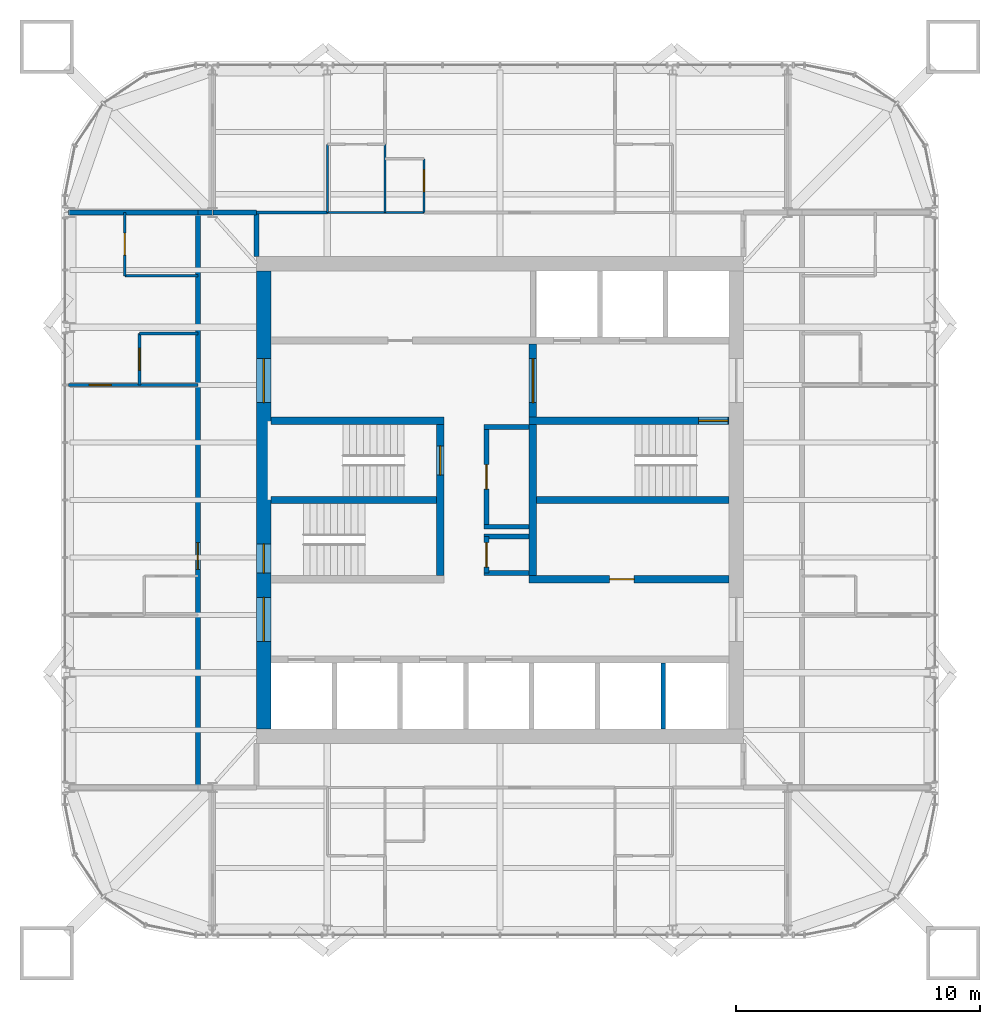
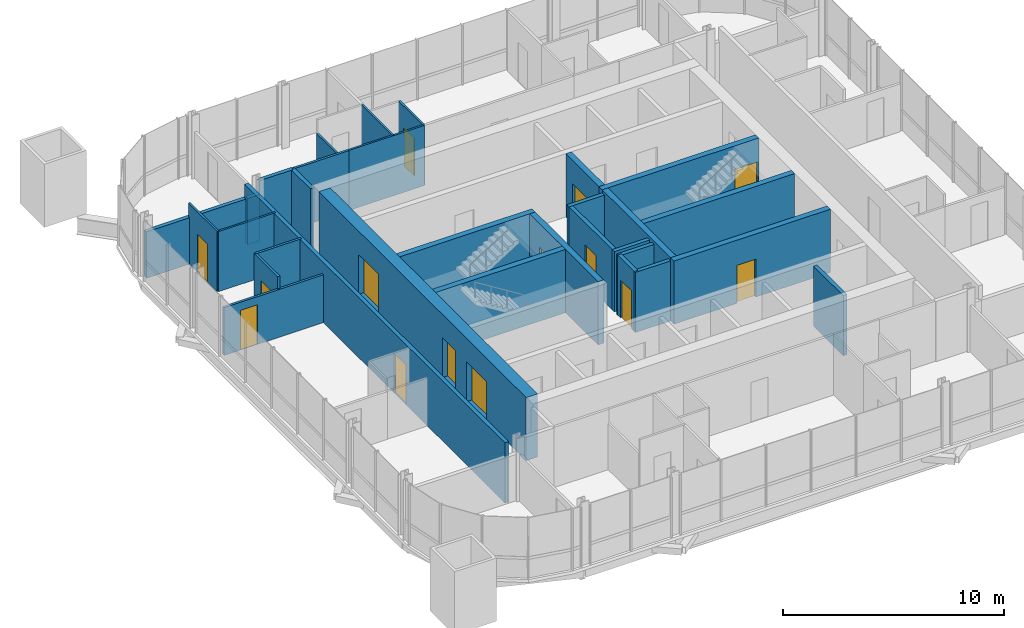
# One storey, part 14 of 17: 30 walls, 14 doors, 14 openings.
"""IFC4 building model written with IfcOpenShell, lengths in metres."""

from ifc_helpers import new_model, si_unit, direction, frame, frame_2d, origin, place, context, subcontext, project, spatial, rectangle, extrude, material, layer, layer_set, type_object, element, fill, save


model = new_model("IFC4")

# Units and contexts
model_context = context("Model", 3, precision=1e-05, world=origin(), true_north=direction((0.0, 1.0)))
body_context = subcontext(model_context, "Body", "Model", "MODEL_VIEW")
ifc_project = project(units=[si_unit("LENGTHUNIT", "METRE"), si_unit("AREAUNIT", "SQUARE_METRE"), si_unit("VOLUMEUNIT", "CUBIC_METRE"), si_unit("PLANEANGLEUNIT", "RADIAN"), si_unit("MASSUNIT", "GRAM", prefix="KILO")], contexts=[model_context])

# Site, building, storey
site_placement = place(None, origin())
site = spatial("IfcSite", under=ifc_project, at=site_placement, CompositionType="ELEMENT")
building_placement = place(site_placement, origin())
building = spatial("IfcBuilding", under=site, at=building_placement, Name="Turquesa Mirador Hotel Tower", CompositionType="ELEMENT")
storey_placement = place(building_placement, frame((0.0, 0.0, 258.199951171875)))
storey = spatial("IfcBuildingStorey", under=building, at=storey_placement, Name="L70", CompositionType="ELEMENT", Elevation=258.199951171875)

# Walls
ifc_material_1 = material(Name="Gypsum board on steel studs", Category="steel")
ifc_layer_1 = layer(ifc_material_1, 0.10009765625)
ifc_layer_set_1 = layer_set([ifc_layer_1], Name="BATHROOM WALL 100")
wall_type_1 = type_object("IfcWallType", Name="BATHROOM WALL 100", PredefinedType="PARTITIONING", material=ifc_layer_set_1)
wall_1_placement = place(storey_placement, frame((47.919921875, 56.800048828125, 0.0), z_axis=(0.0, 0.0, 1.0), x_axis=(1.0, 0.0, 0.0)))
element("IfcWall", 1, at=wall_1_placement, inside=storey, type_object=wall_type_1, Name="Partition L70 019", PredefinedType="PARTITIONING", context=body_context, shape_type="SweptSolid", body=[
    extrude(rectangle(XDim=3.9599609375, YDim=0.10009765625, at=frame_2d((1.97998046875, 0.0))), origin(), (0.0, 0.0, 1.0), 3.330078125),
])
wall_2_placement = place(storey_placement, frame((39.60009765625, 54.199951171875, 0.0), z_axis=(0.0, 0.0, 1.0), x_axis=(1.0, 0.0, 0.0)))
element("IfcWall", 2, at=wall_2_placement, inside=storey, type_object=wall_type_1, Name="Partition L70 035", PredefinedType="PARTITIONING", context=body_context, shape_type="SweptSolid", body=[
    extrude(rectangle(XDim=3.0, YDim=0.10009765625, at=frame_2d((1.5, 0.0))), origin(), (0.0, 0.0, 1.0), 3.330078125),
])

# Wall, opening, door
wall_3_placement = place(storey_placement, frame((39.60009765625, 54.199951171875, 0.0), z_axis=(0.0, 0.0, 1.0), x_axis=(0.0, 1.0, 0.0)))
wall_3 = element("IfcWall", 3, at=wall_3_placement, inside=storey, type_object=wall_type_1, Name="Partition L70 044", PredefinedType="PARTITIONING", context=body_context, shape_type="SweptSolid", body=[
    extrude(rectangle(XDim=2.60009765625, YDim=0.10009765625, at=frame_2d((1.300048828125, 0.0))), origin(), (0.0, 0.0, 1.0), 3.330078125),
])
opening_1_placement = place(wall_3_placement, frame((0.85009765625, 0.0, 0.0)))
opening_1 = element("IfcOpeningElement", 4, at=opening_1_placement, cuts=wall_3, Name="Opening D02", PredefinedType="OPENING", context=body_context, shape_type="SweptSolid", body=[
    extrude(rectangle(XDim=0.89990234375, YDim=2.10009765625, at=frame_2d((0.449951171875, 1.050048828125))), frame((0.0, 0.06005859375, 0.0), z_axis=(0.0, -1.0, 0.0), x_axis=(1.0, 0.0, 0.0)), (0.0, 0.0, 1.0), 0.1201171875),
])
ifc_material_2 = material(Name="Timber veneered door", Category="wood")
door_type_1 = type_object("IfcDoorType", Name="DOOR 900X2100 EN-SUITE", OperationType="SINGLE_SWING_RIGHT", PredefinedType="DOOR", material=ifc_material_2)
door_1_placement = place(opening_1_placement, origin())
door_1 = element("IfcDoor", 5, at=door_1_placement, inside=storey, type_object=door_type_1, Name="Door 7004B", OperationType="SINGLE_SWING_RIGHT", OverallHeight=2.10009765625, OverallWidth=0.89990234375, PredefinedType="DOOR", context=body_context, shape_type="SweptSolid", body=[
    extrude(rectangle(XDim=0.89990234375, YDim=2.10009765625, at=frame_2d((0.449951171875, 1.050048828125))), frame((0.0, 0.02490234375, 0.0), z_axis=(0.0, -1.0, 0.0), x_axis=(1.0, 0.0, 0.0)), (0.0, 0.0, 1.0), 0.050048828125),
])
fill(opening_1, door_1)

wall_4_placement = place(storey_placement, frame((51.8798828125, 56.800048828125, 0.0), z_axis=(0.0, 0.0, 1.0), x_axis=(0.0, 1.0, 0.0)))
wall_4 = element("IfcWall", 6, at=wall_4_placement, inside=storey, type_object=wall_type_1, Name="Partition L70 046", PredefinedType="PARTITIONING", context=body_context, shape_type="SweptSolid", body=[
    extrude(rectangle(XDim=2.199951171875, YDim=0.10009765625, at=frame_2d((1.10009765625, 0.0))), origin(), (0.0, 0.0, 1.0), 3.330078125),
])
opening_2_placement = place(wall_4_placement, frame((0.85009765625, 0.0, 0.0)))
opening_2 = element("IfcOpeningElement", 7, at=opening_2_placement, cuts=wall_4, Name="Opening D06", PredefinedType="OPENING", context=body_context, shape_type="SweptSolid", body=[
    extrude(rectangle(XDim=0.89990234375, YDim=2.10009765625, at=frame_2d((0.449951171875, 1.050048828125))), frame((0.0, 0.06005859375, 0.0), z_axis=(0.0, -1.0, 0.0), x_axis=(1.0, 0.0, 0.0)), (0.0, 0.0, 1.0), 0.1201171875),
])
ifc_material_3 = material(Name="Laminate door", Category="wood")
door_type_2 = type_object("IfcDoorType", Name="DOOR 900X2100 WC", OperationType="SINGLE_SWING_LEFT", PredefinedType="DOOR", material=ifc_material_3)
door_2_placement = place(opening_2_placement, origin())
door_2 = element("IfcDoor", 8, at=door_2_placement, inside=storey, type_object=door_type_2, Name="Door 7001W", OperationType="SINGLE_SWING_LEFT", OverallHeight=2.10009765625, OverallWidth=0.89990234375, PredefinedType="DOOR", context=body_context, shape_type="SweptSolid", body=[
    extrude(rectangle(XDim=0.89990234375, YDim=2.10009765625, at=frame_2d((0.449951171875, 1.050048828125))), frame((0.0, 0.02490234375, 0.0), z_axis=(0.0, -1.0, 0.0), x_axis=(1.0, 0.0, 0.0)), (0.0, 0.0, 1.0), 0.050048828125),
])
fill(opening_2, door_2)

# Walls
wall_5_placement = place(storey_placement, frame((50.280029296875, 56.800048828125, 0.0), z_axis=(0.0, 0.0, 1.0), x_axis=(0.0, 1.0, 0.0)))
element("IfcWall", 9, at=wall_5_placement, inside=storey, type_object=wall_type_1, Name="Partition L70 048", PredefinedType="PARTITIONING", context=body_context, shape_type="SweptSolid", body=[
    extrude(rectangle(XDim=2.800048828125, YDim=0.10009765625, at=frame_2d((1.39990234375, 0.0))), origin(), (0.0, 0.0, 1.0), 3.330078125),
])
wall_6_placement = place(storey_placement, frame((47.919921875, 56.800048828125, 0.0), z_axis=(0.0, 0.0, 1.0), x_axis=(0.0, 1.0, 0.0)))
element("IfcWall", 10, at=wall_6_placement, inside=storey, type_object=wall_type_1, Name="Partition L70 052", PredefinedType="PARTITIONING", context=body_context, shape_type="SweptSolid", body=[
    extrude(rectangle(XDim=2.800048828125, YDim=0.10009765625, at=frame_2d((1.39990234375, 0.0))), origin(), (0.0, 0.0, 1.0), 2.568115234375),
])
ifc_material_4 = material(Name="Concrete C50/60", Category="concrete")
ifc_layer_2 = layer(ifc_material_4, 0.300048828125)
ifc_layer_set_2 = layer_set([ifc_layer_2], Name="CORE INNER WALL 300")
wall_type_2 = type_object("IfcWallType", Name="CORE INNER WALL 300", PredefinedType="SHEAR", material=ifc_layer_set_2)
wall_7_placement = place(storey_placement, frame((45.60009765625, 48.25, 0.0), z_axis=(0.0, 0.0, 1.0), x_axis=(1.0, 0.0, 0.0)))
element("IfcWall", 11, at=wall_7_placement, inside=storey, type_object=wall_type_2, Name="Core wall MN-W", PredefinedType="SHEAR", context=body_context, shape_type="SweptSolid", body=[
    extrude(rectangle(XDim=7.099853515625, YDim=0.300048828125, at=frame_2d((3.5498046875, 0.0))), origin(), (0.0, 0.0, 1.0), 3.5),
])

# Wall, opening, door
wall_8_placement = place(storey_placement, frame((56.199951171875, 48.25, 0.0), z_axis=(0.0, 0.0, 1.0), x_axis=(1.0, 0.0, 0.0)))
wall_8 = element("IfcWall", 12, at=wall_8_placement, inside=storey, type_object=wall_type_2, Name="Core wall MN-E", PredefinedType="SHEAR", context=body_context, shape_type="SweptSolid", body=[
    extrude(rectangle(XDim=8.199951171875, YDim=0.300048828125, at=frame_2d((4.10009765625, 0.0))), origin(), (0.0, 0.0, 1.0), 3.5),
])
opening_3_placement = place(wall_8_placement, frame((6.949951171875, 0.0, 0.0)))
opening_3 = element("IfcOpeningElement", 13, at=opening_3_placement, cuts=wall_8, Name="Opening D03", PredefinedType="OPENING", context=body_context, shape_type="SweptSolid", body=[
    extrude(rectangle(XDim=1.199951171875, YDim=2.199951171875, at=frame_2d((0.60009765625, 1.10009765625))), frame((0.0, 0.159912109375, 0.0), z_axis=(0.0, -1.0, 0.0), x_axis=(1.0, 0.0, 0.0)), (0.0, 0.0, 1.0), 0.320068359375),
])
ifc_material_5 = material(Name="Steel fire door", Category="steel")
door_type_3 = type_object("IfcDoorType", Name="DOOR 1200X2200 STAIR", OperationType="SINGLE_SWING_LEFT", PredefinedType="DOOR", material=ifc_material_5)
door_3_placement = place(opening_3_placement, origin())
door_3 = element("IfcDoor", 14, at=door_3_placement, inside=storey, type_object=door_type_3, Name="Stair ST3 door", OperationType="SINGLE_SWING_LEFT", OverallHeight=2.199951171875, OverallWidth=1.199951171875, PredefinedType="DOOR", context=body_context, shape_type="SweptSolid", body=[
    extrude(rectangle(XDim=1.199951171875, YDim=2.199951171875, at=frame_2d((0.60009765625, 1.10009765625))), frame((0.0, 0.02490234375, 0.0), z_axis=(0.0, -1.0, 0.0), x_axis=(1.0, 0.0, 0.0)), (0.0, 0.0, 1.0), 0.050048828125),
])
fill(opening_3, door_3)

wall_9_placement = place(storey_placement, frame((56.199951171875, 41.75, 0.0), z_axis=(0.0, 0.0, 1.0), x_axis=(1.0, 0.0, 0.0)))
wall_9 = element("IfcWall", 15, at=wall_9_placement, inside=storey, type_object=wall_type_2, Name="Core wall MS-E", PredefinedType="SHEAR", context=body_context, shape_type="SweptSolid", body=[
    extrude(rectangle(XDim=8.199951171875, YDim=0.300048828125, at=frame_2d((4.10009765625, 0.0))), origin(), (0.0, 0.0, 1.0), 3.5),
])
opening_4_placement = place(wall_9_placement, frame((3.300048828125, 0.0, 0.0)))
opening_4 = element("IfcOpeningElement", 16, at=opening_4_placement, cuts=wall_9, Name="Opening D05", PredefinedType="OPENING", context=body_context, shape_type="SweptSolid", body=[
    extrude(rectangle(XDim=1.0, YDim=2.10009765625, at=frame_2d((0.5, 1.050048828125))), frame((0.0, 0.159912109375, 0.0), z_axis=(0.0, -1.0, 0.0), x_axis=(1.0, 0.0, 0.0)), (0.0, 0.0, 1.0), 0.320068359375),
])
ifc_material_6 = material(Name="Steel fire door", Category="steel")
door_type_4 = type_object("IfcDoorType", Name="DOOR 1000X2100 SERVICE", OperationType="SINGLE_SWING_LEFT", PredefinedType="DOOR", material=ifc_material_6)
door_4_placement = place(opening_4_placement, origin())
door_4 = element("IfcDoor", 17, at=door_4_placement, inside=storey, type_object=door_type_4, Name="Housekeeping room door", OperationType="SINGLE_SWING_LEFT", OverallHeight=2.10009765625, OverallWidth=1.0, PredefinedType="DOOR", context=body_context, shape_type="SweptSolid", body=[
    extrude(rectangle(XDim=1.0, YDim=2.10009765625, at=frame_2d((0.5, 1.050048828125))), frame((0.0, 0.02490234375, 0.0), z_axis=(0.0, -1.0, 0.0), x_axis=(1.0, 0.0, 0.0)), (0.0, 0.0, 1.0), 0.050048828125),
])
fill(opening_4, door_4)

wall_10_placement = place(storey_placement, frame((52.550048828125, 41.89990234375, 0.0), z_axis=(0.0, 0.0, 1.0), x_axis=(0.0, 1.0, 0.0)))
wall_10 = element("IfcWall", 18, at=wall_10_placement, inside=storey, type_object=wall_type_2, Name="Core wall PW", PredefinedType="SHEAR", context=body_context, shape_type="SweptSolid", body=[
    extrude(rectangle(XDim=6.2001953125, YDim=0.300048828125, at=frame_2d((3.10009765625, 0.0))), origin(), (0.0, 0.0, 1.0), 3.5),
])
opening_5_placement = place(wall_10_placement, frame((4.125, 0.0, 0.0)))
opening_5 = element("IfcOpeningElement", 19, at=opening_5_placement, cuts=wall_10, Name="Opening D03", PredefinedType="OPENING", context=body_context, shape_type="SweptSolid", body=[
    extrude(rectangle(XDim=1.199951171875, YDim=2.199951171875, at=frame_2d((0.60009765625, 1.10009765625))), frame((0.0, 0.159912109375, 0.0), z_axis=(0.0, -1.0, 0.0), x_axis=(1.0, 0.0, 0.0)), (0.0, 0.0, 1.0), 0.320068359375),
])
door_5_placement = place(opening_5_placement, origin())
door_5 = element("IfcDoor", 20, at=door_5_placement, inside=storey, type_object=door_type_3, Name="Stair ST1 door", OperationType="SINGLE_SWING_LEFT", OverallHeight=2.199951171875, OverallWidth=1.199951171875, PredefinedType="DOOR", context=body_context, shape_type="SweptSolid", body=[
    extrude(rectangle(XDim=1.199951171875, YDim=2.199951171875, at=frame_2d((0.60009765625, 1.10009765625))), frame((0.0, 0.02490234375, 0.0), z_axis=(0.0, -1.0, 0.0), x_axis=(1.0, 0.0, 0.0)), (0.0, 0.0, 1.0), 0.050048828125),
])
fill(opening_5, door_5)

wall_11_placement = place(storey_placement, frame((56.35009765625, 41.89990234375, 0.0), z_axis=(0.0, 0.0, 1.0), x_axis=(0.0, 1.0, 0.0)))
wall_11 = element("IfcWall", 21, at=wall_11_placement, inside=storey, type_object=wall_type_2, Name="Core wall PE", PredefinedType="SHEAR", context=body_context, shape_type="SweptSolid", body=[
    extrude(rectangle(XDim=9.5, YDim=0.300048828125, at=frame_2d((4.75, 0.0))), origin(), (0.0, 0.0, 1.0), 3.5),
])
opening_6_placement = place(wall_11_placement, frame((7.10009765625, 0.0, 0.0)))
opening_6 = element("IfcOpeningElement", 22, at=opening_6_placement, cuts=wall_11, Name="Opening D04", PredefinedType="OPENING", context=body_context, shape_type="SweptSolid", body=[
    extrude(rectangle(XDim=1.800048828125, YDim=2.199951171875, at=frame_2d((0.89990234375, 1.10009765625))), frame((0.0, 0.159912109375, 0.0), z_axis=(0.0, -1.0, 0.0), x_axis=(1.0, 0.0, 0.0)), (0.0, 0.0, 1.0), 0.320068359375),
])
ifc_material_7 = material(Name="Steel fire door pair", Category="steel")
door_type_5 = type_object("IfcDoorType", Name="DOOR 1800X2200 PAIR", OperationType="DOUBLE_DOOR_SINGLE_SWING", PredefinedType="DOOR", material=ifc_material_7)
door_6_placement = place(opening_6_placement, origin())
door_6 = element("IfcDoor", 23, at=door_6_placement, inside=storey, type_object=door_type_5, Name="Firefighting lobby inner door", OperationType="DOUBLE_DOOR_SINGLE_SWING", OverallHeight=2.199951171875, OverallWidth=1.800048828125, PredefinedType="DOOR", context=body_context, shape_type="SweptSolid", body=[
    extrude(rectangle(XDim=1.800048828125, YDim=2.199951171875, at=frame_2d((0.89990234375, 1.10009765625))), frame((0.0, 0.02490234375, 0.0), z_axis=(0.0, -1.0, 0.0), x_axis=(1.0, 0.0, 0.0)), (0.0, 0.0, 1.0), 0.050048828125),
])
fill(opening_6, door_6)

# Walls
wall_12_placement = place(storey_placement, frame((45.60009765625, 45.0, 0.0), z_axis=(0.0, 0.0, 1.0), x_axis=(1.0, 0.0, 0.0)))
element("IfcWall", 24, at=wall_12_placement, inside=storey, type_object=wall_type_2, Name="Core wall M0-W", PredefinedType="SHEAR", context=body_context, shape_type="SweptSolid", body=[
    extrude(rectangle(XDim=6.7998046875, YDim=0.300048828125, at=frame_2d((3.39990234375, 0.0))), origin(), (0.0, 0.0, 1.0), 3.5),
])
wall_13_placement = place(storey_placement, frame((56.5, 45.0, 0.0), z_axis=(0.0, 0.0, 1.0), x_axis=(1.0, 0.0, 0.0)))
element("IfcWall", 25, at=wall_13_placement, inside=storey, type_object=wall_type_2, Name="Core wall M0-E", PredefinedType="SHEAR", context=body_context, shape_type="SweptSolid", body=[
    extrude(rectangle(XDim=7.89990234375, YDim=0.300048828125, at=frame_2d((3.949951171875, 0.0))), origin(), (0.0, 0.0, 1.0), 3.5),
])

# Wall, openings, doors
ifc_material_8 = material(Name="Concrete C50/60", Category="concrete")
ifc_layer_3 = layer(ifc_material_8, 0.60009765625)
ifc_layer_set_3 = layer_set([ifc_layer_3], Name="CORE WALL 600")
wall_type_3 = type_object("IfcWallType", Name="CORE WALL 600", PredefinedType="SHEAR", material=ifc_layer_set_3)
wall_14_placement = place(storey_placement, frame((45.300048828125, 35.60009765625, 0.0), z_axis=(0.0, 0.0, 1.0), x_axis=(0.0, 1.0, 0.0)))
wall_14 = element("IfcWall", 26, at=wall_14_placement, inside=storey, type_object=wall_type_3, Name="Core wall W", PredefinedType="SHEAR", context=body_context, shape_type="SweptSolid", body=[
    extrude(rectangle(XDim=18.7998046875, YDim=0.60009765625, at=frame_2d((9.39990234375, 0.0))), origin(), (0.0, 0.0, 1.0), 3.5),
])
opening_7_placement = place(wall_14_placement, frame((13.39990234375, 0.0, 0.0)))
opening_7 = element("IfcOpeningElement", 27, at=opening_7_placement, cuts=wall_14, Name="Opening D04", PredefinedType="OPENING", context=body_context, shape_type="SweptSolid", body=[
    extrude(rectangle(XDim=1.800048828125, YDim=2.199951171875, at=frame_2d((0.89990234375, 1.10009765625))), frame((0.0, 0.31005859375, 0.0), z_axis=(0.0, -1.0, 0.0), x_axis=(1.0, 0.0, 0.0)), (0.0, 0.0, 1.0), 0.6201171875),
])
opening_8_placement = place(wall_14_placement, frame((3.60009765625, 0.0, 0.0)))
opening_8 = element("IfcOpeningElement", 28, at=opening_8_placement, cuts=wall_14, Name="Opening D04", PredefinedType="OPENING", context=body_context, shape_type="SweptSolid", body=[
    extrude(rectangle(XDim=1.800048828125, YDim=2.199951171875, at=frame_2d((0.89990234375, 1.10009765625))), frame((0.0, 0.31005859375, 0.0), z_axis=(0.0, -1.0, 0.0), x_axis=(1.0, 0.0, 0.0)), (0.0, 0.0, 1.0), 0.6201171875),
])
opening_9_placement = place(wall_14_placement, frame((6.39990234375, 0.0, 0.0)))
opening_9 = element("IfcOpeningElement", 29, at=opening_9_placement, cuts=wall_14, Name="Opening D03", PredefinedType="OPENING", context=body_context, shape_type="SweptSolid", body=[
    extrude(rectangle(XDim=1.199951171875, YDim=2.199951171875, at=frame_2d((0.60009765625, 1.10009765625))), frame((0.0, 0.31005859375, 0.0), z_axis=(0.0, -1.0, 0.0), x_axis=(1.0, 0.0, 0.0)), (0.0, 0.0, 1.0), 0.6201171875),
])
door_7_placement = place(opening_9_placement, origin())
door_7 = element("IfcDoor", 30, at=door_7_placement, inside=storey, type_object=door_type_3, Name="Stair ST2 door", OperationType="SINGLE_SWING_LEFT", OverallHeight=2.199951171875, OverallWidth=1.199951171875, PredefinedType="DOOR", context=body_context, shape_type="SweptSolid", body=[
    extrude(rectangle(XDim=1.199951171875, YDim=2.199951171875, at=frame_2d((0.60009765625, 1.10009765625))), frame((0.0, 0.02490234375, 0.0), z_axis=(0.0, -1.0, 0.0), x_axis=(1.0, 0.0, 0.0)), (0.0, 0.0, 1.0), 0.050048828125),
])
fill(opening_9, door_7)
door_8_placement = place(opening_7_placement, origin())
door_8 = element("IfcDoor", 31, at=door_8_placement, inside=storey, type_object=door_type_5, Name="North lift lobby door", OperationType="DOUBLE_DOOR_SINGLE_SWING", OverallHeight=2.199951171875, OverallWidth=1.800048828125, PredefinedType="DOOR", context=body_context, shape_type="SweptSolid", body=[
    extrude(rectangle(XDim=1.800048828125, YDim=2.199951171875, at=frame_2d((0.89990234375, 1.10009765625))), frame((0.0, 0.02490234375, 0.0), z_axis=(0.0, -1.0, 0.0), x_axis=(1.0, 0.0, 0.0)), (0.0, 0.0, 1.0), 0.050048828125),
])
fill(opening_7, door_8)
door_9_placement = place(opening_8_placement, origin())
door_9 = element("IfcDoor", 32, at=door_9_placement, inside=storey, type_object=door_type_5, Name="South lift lobby door", OperationType="DOUBLE_DOOR_SINGLE_SWING", OverallHeight=2.199951171875, OverallWidth=1.800048828125, PredefinedType="DOOR", context=body_context, shape_type="SweptSolid", body=[
    extrude(rectangle(XDim=1.800048828125, YDim=2.199951171875, at=frame_2d((0.89990234375, 1.10009765625))), frame((0.0, 0.02490234375, 0.0), z_axis=(0.0, -1.0, 0.0), x_axis=(1.0, 0.0, 0.0)), (0.0, 0.0, 1.0), 0.050048828125),
])
fill(opening_8, door_9)

# Walls
ifc_material_9 = material(Name="Fire-rated gypsum board on steel studs", Category="steel")
ifc_layer_4 = layer(ifc_material_9, 0.199951171875)
ifc_layer_set_4 = layer_set([ifc_layer_4], Name="CORRIDOR WALL 200")
wall_type_4 = type_object("IfcWallType", Name="CORRIDOR WALL 200", PredefinedType="PARTITIONING", material=ifc_layer_set_4)
wall_15_placement = place(storey_placement, frame((43.219970703125, 56.800048828125, 0.0), z_axis=(0.0, 0.0, 1.0), x_axis=(1.0, 0.0, 0.0)))
element("IfcWall", 33, at=wall_15_placement, inside=storey, type_object=wall_type_4, Name="Partition L70 021", PredefinedType="PARTITIONING", context=body_context, shape_type="SweptSolid", body=[
    extrude(rectangle(XDim=1.780029296875, YDim=0.199951171875, at=frame_2d((0.89013671875, 0.0))), origin(), (0.0, 0.0, 1.0), 3.330078125),
])
wall_16_placement = place(storey_placement, frame((45.0, 55.0, 0.0), z_axis=(0.0, 0.0, 1.0), x_axis=(0.0, 1.0, 0.0)))
element("IfcWall", 34, at=wall_16_placement, inside=storey, type_object=wall_type_4, Name="Partition L70 038", PredefinedType="PARTITIONING", context=body_context, shape_type="SweptSolid", body=[
    extrude(rectangle(XDim=1.800048828125, YDim=0.199951171875, at=frame_2d((0.89990234375, 0.0))), origin(), (0.0, 0.0, 1.0), 3.330078125),
])

# Wall, opening, door
wall_17_placement = place(storey_placement, frame((42.60009765625, 33.199951171875, 0.0), z_axis=(0.0, 0.0, 1.0), x_axis=(0.0, 1.0, 0.0)))
wall_17 = element("IfcWall", 35, at=wall_17_placement, inside=storey, type_object=wall_type_4, Name="Partition L70 041", PredefinedType="PARTITIONING", context=body_context, shape_type="SweptSolid", body=[
    extrude(rectangle(XDim=23.60009765625, YDim=0.199951171875, at=frame_2d((11.800048828125, 0.0))), origin(), (0.0, 0.0, 1.0), 3.330078125),
])
opening_10_placement = place(wall_17_placement, frame((8.949951171875, 0.0, 0.0)))
opening_10 = element("IfcOpeningElement", 36, at=opening_10_placement, cuts=wall_17, Name="Opening D15", PredefinedType="OPENING", context=body_context, shape_type="SweptSolid", body=[
    extrude(rectangle(XDim=1.10009765625, YDim=2.199951171875, at=frame_2d((0.550048828125, 1.10009765625))), frame((0.0, 0.10986328125, 0.0), z_axis=(0.0, -1.0, 0.0), x_axis=(1.0, 0.0, 0.0)), (0.0, 0.0, 1.0), 0.219970703125),
])
ifc_material_10 = material(Name="Timber veneered fire door", Category="wood")
door_type_6 = type_object("IfcDoorType", Name="DOOR 1100X2200 SUITE ENTRY", OperationType="SINGLE_SWING_LEFT", PredefinedType="DOOR", material=ifc_material_10)
door_10_placement = place(opening_10_placement, origin())
door_10 = element("IfcDoor", 37, at=door_10_placement, inside=storey, type_object=door_type_6, Name="Door 7004", OperationType="SINGLE_SWING_LEFT", OverallHeight=2.199951171875, OverallWidth=1.10009765625, PredefinedType="DOOR", context=body_context, shape_type="SweptSolid", body=[
    extrude(rectangle(XDim=1.10009765625, YDim=2.199951171875, at=frame_2d((0.550048828125, 1.10009765625))), frame((0.0, 0.02490234375, 0.0), z_axis=(0.0, -1.0, 0.0), x_axis=(1.0, 0.0, 0.0)), (0.0, 0.0, 1.0), 0.050048828125),
])
fill(opening_10, door_10)

# Wall
wall_18_placement = place(storey_placement, frame((42.60009765625, 56.800048828125, 0.0), z_axis=(0.0, 0.0, 1.0), x_axis=(1.0, 0.0, 0.0)))
element("IfcWall", 38, at=wall_18_placement, inside=storey, type_object=wall_type_4, Name="Partition L70 069", PredefinedType="PARTITIONING", context=body_context, shape_type="SweptSolid", body=[
    extrude(rectangle(XDim=0.619873046875, YDim=0.199951171875, at=frame_2d((0.31005859375, 0.0))), origin(), (0.0, 0.0, 1.0), 2.568115234375),
])

# Wall, opening, door
ifc_material_11 = material(Name="Fire-rated gypsum board on steel studs", Category="steel")
ifc_layer_5 = layer(ifc_material_11, 0.199951171875)
ifc_layer_set_5 = layer_set([ifc_layer_5], Name="FIRE PARTITION 200")
wall_type_5 = type_object("IfcWallType", Name="FIRE PARTITION 200", PredefinedType="PARTITIONING", material=ifc_layer_set_5)
wall_19_placement = place(storey_placement, frame((54.449951171875, 42.0, 0.0), z_axis=(0.0, 0.0, 1.0), x_axis=(0.0, 1.0, 0.0)))
wall_19 = element("IfcWall", 39, at=wall_19_placement, inside=storey, type_object=wall_type_5, Name="Partition L70 SW W", PredefinedType="PARTITIONING", context=body_context, shape_type="SweptSolid", body=[
    extrude(rectangle(XDim=1.5, YDim=0.199951171875, at=frame_2d((0.75, 0.0))), origin(), (0.0, 0.0, 1.0), 3.330078125),
])
opening_11_placement = place(wall_19_placement, frame((0.25, 0.0, 0.0)))
opening_11 = element("IfcOpeningElement", 40, at=opening_11_placement, cuts=wall_19, Name="Opening D05", PredefinedType="OPENING", context=body_context, shape_type="SweptSolid", body=[
    extrude(rectangle(XDim=1.0, YDim=2.10009765625, at=frame_2d((0.5, 1.050048828125))), frame((0.0, 0.10986328125, 0.0), z_axis=(0.0, -1.0, 0.0), x_axis=(1.0, 0.0, 0.0)), (0.0, 0.0, 1.0), 0.219970703125),
])
door_11_placement = place(opening_11_placement, origin())
door_11 = element("IfcDoor", 41, at=door_11_placement, inside=storey, type_object=door_type_4, Name="Staff WC door", OperationType="SINGLE_SWING_LEFT", OverallHeight=2.10009765625, OverallWidth=1.0, PredefinedType="DOOR", context=body_context, shape_type="SweptSolid", body=[
    extrude(rectangle(XDim=1.0, YDim=2.10009765625, at=frame_2d((0.5, 1.050048828125))), frame((0.0, 0.02490234375, 0.0), z_axis=(0.0, -1.0, 0.0), x_axis=(1.0, 0.0, 0.0)), (0.0, 0.0, 1.0), 0.050048828125),
])
fill(opening_11, door_11)

# Walls
for number, where, z_axis, x_axis, name in (
    (42, (54.35009765625, 42.0, 0.0), (0.0, 0.0, 1.0), (1.0, 0.0, 0.0), "Partition L70 SW S"),
    (43, (54.35009765625, 43.5, 0.0), (0.0, 0.0, 1.0), (1.0, 0.0, 0.0), "Partition L70 SW N"),
):
    element("IfcWall", number, at=place(storey_placement, frame(where, z_axis=z_axis, x_axis=x_axis)), inside=storey, type_object=wall_type_5, Name=name, PredefinedType="PARTITIONING", context=body_context, shape_type="SweptSolid", body=[
        extrude(rectangle(XDim=1.849853515625, YDim=0.199951171875, at=frame_2d((0.9248046875, 0.0))), origin(), (0.0, 0.0, 1.0), 3.330078125),
    ])

# Wall, opening, door
wall_20_placement = place(storey_placement, frame((54.449951171875, 43.89990234375, 0.0), z_axis=(0.0, 0.0, 1.0), x_axis=(0.0, 1.0, 0.0)))
wall_20 = element("IfcWall", 44, at=wall_20_placement, inside=storey, type_object=wall_type_5, Name="Partition L70 VR W", PredefinedType="PARTITIONING", context=body_context, shape_type="SweptSolid", body=[
    extrude(rectangle(XDim=4.10009765625, YDim=0.199951171875, at=frame_2d((2.050048828125, 0.0))), origin(), (0.0, 0.0, 1.0), 3.330078125),
])
opening_12_placement = place(wall_20_placement, frame((1.550048828125, 0.0, 0.0)))
opening_12 = element("IfcOpeningElement", 45, at=opening_12_placement, cuts=wall_20, Name="Opening D05", PredefinedType="OPENING", context=body_context, shape_type="SweptSolid", body=[
    extrude(rectangle(XDim=1.0, YDim=2.10009765625, at=frame_2d((0.5, 1.050048828125))), frame((0.0, 0.10986328125, 0.0), z_axis=(0.0, -1.0, 0.0), x_axis=(1.0, 0.0, 0.0)), (0.0, 0.0, 1.0), 0.219970703125),
])
door_12_placement = place(opening_12_placement, origin())
door_12 = element("IfcDoor", 46, at=door_12_placement, inside=storey, type_object=door_type_4, Name="Valet room door", OperationType="SINGLE_SWING_LEFT", OverallHeight=2.10009765625, OverallWidth=1.0, PredefinedType="DOOR", context=body_context, shape_type="SweptSolid", body=[
    extrude(rectangle(XDim=1.0, YDim=2.10009765625, at=frame_2d((0.5, 1.050048828125))), frame((0.0, 0.02490234375, 0.0), z_axis=(0.0, -1.0, 0.0), x_axis=(1.0, 0.0, 0.0)), (0.0, 0.0, 1.0), 0.050048828125),
])
fill(opening_12, door_12)

# Walls
for number, where, z_axis, x_axis, name in (
    (47, (54.35009765625, 43.89990234375, 0.0), (0.0, 0.0, 1.0), (1.0, 0.0, 0.0), "Partition L70 VR S"),
    (48, (54.35009765625, 48.0, 0.0), (0.0, 0.0, 1.0), (1.0, 0.0, 0.0), "Partition L70 VR N"),
):
    element("IfcWall", number, at=place(storey_placement, frame(where, z_axis=z_axis, x_axis=x_axis)), inside=storey, type_object=wall_type_5, Name=name, PredefinedType="PARTITIONING", context=body_context, shape_type="SweptSolid", body=[
        extrude(rectangle(XDim=1.849853515625, YDim=0.199951171875, at=frame_2d((0.9248046875, 0.0))), origin(), (0.0, 0.0, 1.0), 3.330078125),
    ])
ifc_material_12 = material(Name="Fire-rated gypsum shaft wall on steel studs", Category="steel")
ifc_layer_6 = layer(ifc_material_12, 0.199951171875)
ifc_layer_set_6 = layer_set([ifc_layer_6], Name="LIFT SHAFT DIVIDER 200")
wall_type_6 = type_object("IfcWallType", Name="LIFT SHAFT DIVIDER 200", PredefinedType="PARTITIONING", material=ifc_layer_set_6)
wall_21_placement = place(storey_placement, frame((61.699951171875, 35.60009765625, 0.0), z_axis=(0.0, 0.0, 1.0), x_axis=(0.0, 1.0, 0.0)))
element("IfcWall", 49, at=wall_21_placement, inside=storey, type_object=wall_type_6, Name="Lift shaft divider", PredefinedType="PARTITIONING", context=body_context, shape_type="SweptSolid", body=[
    extrude(rectangle(XDim=2.699951171875, YDim=0.199951171875, at=frame_2d((1.35009765625, 0.0))), origin(), (0.0, 0.0, 1.0), 3.330078125),
])
ifc_material_13 = material(Name="Fire-rated gypsum board on steel studs", Category="steel")
ifc_layer_7 = layer(ifc_material_13, 0.199951171875)
ifc_layer_set_7 = layer_set([ifc_layer_7], Name="PARTY WALL 200")
wall_type_7 = type_object("IfcWallType", Name="PARTY WALL 200", PredefinedType="PARTITIONING", material=ifc_layer_set_7)
wall_22_placement = place(storey_placement, frame((37.300048828125, 56.800048828125, 0.0), z_axis=(0.0, 0.0, 1.0), x_axis=(1.0, 0.0, 0.0)))
element("IfcWall", 50, at=wall_22_placement, inside=storey, type_object=wall_type_7, Name="Partition L70 023", PredefinedType="PARTITIONING", context=body_context, shape_type="SweptSolid", body=[
    extrude(rectangle(XDim=5.300048828125, YDim=0.199951171875, at=frame_2d((2.64990234375, 0.0))), origin(), (0.0, 0.0, 1.0), 2.568115234375),
])
ifc_material_14 = material(Name="Acoustic gypsum board on steel studs", Category="steel")
ifc_layer_8 = layer(ifc_material_14, 0.125)
ifc_layer_set_8 = layer_set([ifc_layer_8], Name="SUITE PARTITION 125")
wall_type_8 = type_object("IfcWallType", Name="SUITE PARTITION 125", PredefinedType="PARTITIONING", material=ifc_layer_set_8)
wall_23_placement = place(storey_placement, frame((45.0, 56.800048828125, 0.0), z_axis=(0.0, 0.0, 1.0), x_axis=(1.0, 0.0, 0.0)))
element("IfcWall", 51, at=wall_23_placement, inside=storey, type_object=wall_type_8, Name="Partition L70 025", PredefinedType="PARTITIONING", context=body_context, shape_type="SweptSolid", body=[
    extrude(rectangle(XDim=2.919921875, YDim=0.125, at=frame_2d((1.4599609375, 0.0))), origin(), (0.0, 0.0, 1.0), 3.330078125),
])

# Wall, opening, door
wall_24_placement = place(storey_placement, frame((37.300048828125, 49.719970703125, 0.0), z_axis=(0.0, 0.0, 1.0), x_axis=(1.0, 0.0, 0.0)))
wall_24 = element("IfcWall", 52, at=wall_24_placement, inside=storey, type_object=wall_type_8, Name="Partition L70 031", PredefinedType="PARTITIONING", context=body_context, shape_type="SweptSolid", body=[
    extrude(rectangle(XDim=5.300048828125, YDim=0.125, at=frame_2d((2.64990234375, 0.0))), origin(), (0.0, 0.0, 1.0), 2.646728515625),
])
opening_13_placement = place(wall_24_placement, frame((0.85009765625, 0.0, 0.0)))
opening_13 = element("IfcOpeningElement", 53, at=opening_13_placement, cuts=wall_24, Name="Opening D17", PredefinedType="OPENING", context=body_context, shape_type="SweptSolid", body=[
    extrude(rectangle(XDim=0.89990234375, YDim=2.199951171875, at=frame_2d((0.449951171875, 1.10009765625))), frame((0.0, 0.072509765625, 0.0), z_axis=(0.0, -1.0, 0.0), x_axis=(1.0, 0.0, 0.0)), (0.0, 0.0, 1.0), 0.14501953125),
])
ifc_material_15 = material(Name="Timber veneered door", Category="wood")
door_type_7 = type_object("IfcDoorType", Name="DOOR 900X2200 SUITE INTERNAL", OperationType="SINGLE_SWING_LEFT", PredefinedType="DOOR", material=ifc_material_15)
door_13_placement = place(opening_13_placement, origin())
door_13 = element("IfcDoor", 54, at=door_13_placement, inside=storey, type_object=door_type_7, Name="Door 7004R", OperationType="SINGLE_SWING_LEFT", OverallHeight=2.199951171875, OverallWidth=0.89990234375, PredefinedType="DOOR", context=body_context, shape_type="SweptSolid", body=[
    extrude(rectangle(XDim=0.89990234375, YDim=2.199951171875, at=frame_2d((0.449951171875, 1.10009765625))), frame((0.0, 0.02490234375, 0.0), z_axis=(0.0, -1.0, 0.0), x_axis=(1.0, 0.0, 0.0)), (0.0, 0.0, 1.0), 0.050048828125),
])
fill(opening_13, door_13)

# Wall
wall_25_placement = place(storey_placement, frame((40.199951171875, 51.840087890625, 0.0), z_axis=(0.0, 0.0, 1.0), x_axis=(1.0, 0.0, 0.0)))
element("IfcWall", 55, at=wall_25_placement, inside=storey, type_object=wall_type_8, Name="Partition L70 033", PredefinedType="PARTITIONING", context=body_context, shape_type="SweptSolid", body=[
    extrude(rectangle(XDim=2.400146484375, YDim=0.125, at=frame_2d((1.2001953125, 0.0))), origin(), (0.0, 0.0, 1.0), 3.330078125),
])

# Wall, opening, door
wall_26_placement = place(storey_placement, frame((40.199951171875, 49.719970703125, 0.0), z_axis=(0.0, 0.0, 1.0), x_axis=(0.0, 1.0, 0.0)))
wall_26 = element("IfcWall", 56, at=wall_26_placement, inside=storey, type_object=wall_type_8, Name="Partition L70 043", PredefinedType="PARTITIONING", context=body_context, shape_type="SweptSolid", body=[
    extrude(rectangle(XDim=2.1201171875, YDim=0.125, at=frame_2d((1.06005859375, 0.0))), origin(), (0.0, 0.0, 1.0), 3.330078125),
])
opening_14_placement = place(wall_26_placement, frame((0.610107421875, 0.0, 0.0)))
opening_14 = element("IfcOpeningElement", 57, at=opening_14_placement, cuts=wall_26, Name="Opening D17", PredefinedType="OPENING", context=body_context, shape_type="SweptSolid", body=[
    extrude(rectangle(XDim=0.89990234375, YDim=2.199951171875, at=frame_2d((0.449951171875, 1.10009765625))), frame((0.0, 0.072509765625, 0.0), z_axis=(0.0, -1.0, 0.0), x_axis=(1.0, 0.0, 0.0)), (0.0, 0.0, 1.0), 0.14501953125),
])
door_14_placement = place(opening_14_placement, origin())
door_14 = element("IfcDoor", 58, at=door_14_placement, inside=storey, type_object=door_type_7, Name="Door 7004D", OperationType="SINGLE_SWING_LEFT", OverallHeight=2.199951171875, OverallWidth=0.89990234375, PredefinedType="DOOR", context=body_context, shape_type="SweptSolid", body=[
    extrude(rectangle(XDim=0.89990234375, YDim=2.199951171875, at=frame_2d((0.449951171875, 1.10009765625))), frame((0.0, 0.02490234375, 0.0), z_axis=(0.0, -1.0, 0.0), x_axis=(1.0, 0.0, 0.0)), (0.0, 0.0, 1.0), 0.050048828125),
])
fill(opening_14, door_14)

save(model, "model.ifc")
